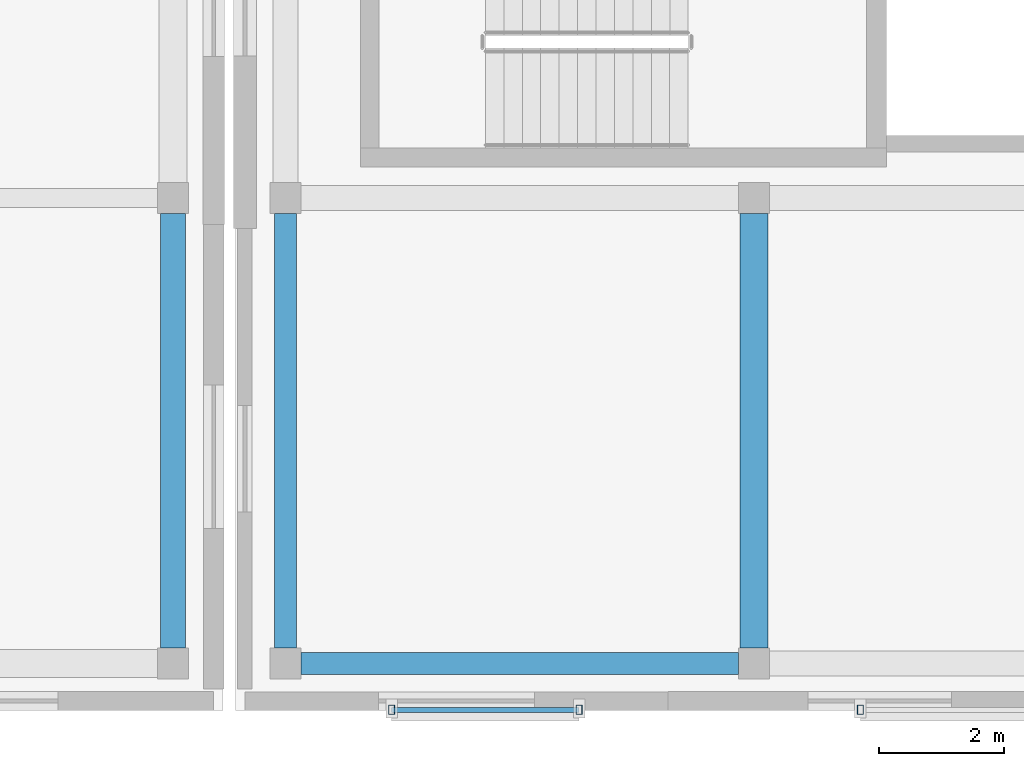
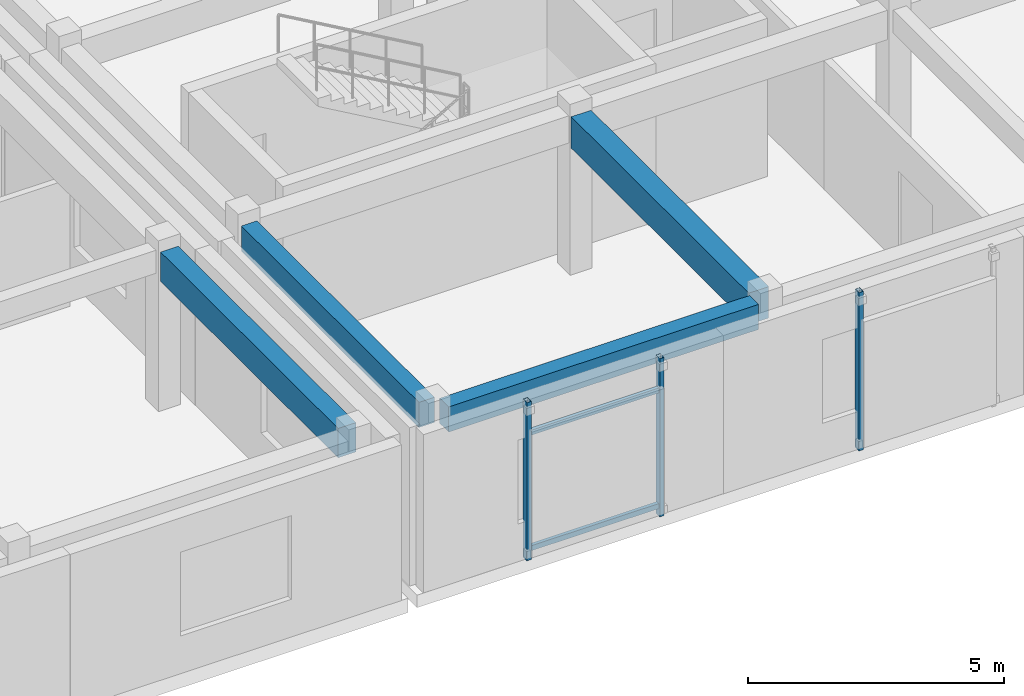
# One storey, part 26 of 91: 5 members, 4 beams.
"""IFC4 building model written with IfcOpenShell, lengths in metres."""

from ifc_helpers import new_model, si_unit, direction, frame, origin, origin_2d, place, context, subcontext, project, spatial, rectangle, hollow_rectangle, extrude, material, material_profile, profile_set, type_object, element, save


model = new_model("IFC4")

# Units and contexts
model_context = context("Model", 3, precision=1e-05, world=origin(), true_north=direction((0.0, 1.0)))
body_context = subcontext(model_context, "Body", "Model", "MODEL_VIEW")
ifc_project = project(units=[si_unit("LENGTHUNIT", "METRE"), si_unit("AREAUNIT", "SQUARE_METRE"), si_unit("VOLUMEUNIT", "CUBIC_METRE"), si_unit("PLANEANGLEUNIT", "RADIAN"), si_unit("MASSUNIT", "GRAM", prefix="KILO")], contexts=[model_context])

# Site, building, storey
site_placement = place(None, origin())
site = spatial("IfcSite", under=ifc_project, at=site_placement, CompositionType="ELEMENT")
building_placement = place(site_placement, origin())
building = spatial("IfcBuilding", under=site, at=building_placement, Name="Valcora Specialist Clinic", CompositionType="ELEMENT")
storey_placement = place(building_placement, frame((0.0, 0.0, 13.60009765625)))
storey = spatial("IfcBuildingStorey", under=building, at=storey_placement, Name="L03", CompositionType="ELEMENT", Elevation=13.60009765625)

# Beams
ifc_material_1 = material(Name="Concrete C40/50", Category="concrete")
ifc_material_profile_1 = material_profile(ifc_material_1, rectangle(XDim=0.35009765625, YDim=0.60009765625, at=origin_2d()), Name="RC-BM-350X600")
ifc_profile_set_1 = profile_set([ifc_material_profile_1], Name="Concrete C40/50")
beam_type_1 = type_object("IfcBeamType", Name="TY-BM-RC350X600", PredefinedType="BEAM", material=ifc_profile_set_1)
beam_1_placement = place(storey_placement, frame((54.550048828125, 0.75, 3.47998046875), z_axis=(1.0, 0.0, 0.0), x_axis=(0.0, 1.0, 0.0)))
element("IfcBeam", 1, at=beam_1_placement, inside=storey, type_object=beam_type_1, Name="Beam BM-L03-1418", PredefinedType="BEAM", context=body_context, shape_type="SweptSolid", body=[
    extrude(rectangle(XDim=0.35009765625, YDim=0.60009765625, at=origin_2d()), origin(), (0.0, 0.0, 1.0), 7.0),
])
beam_2_placement = place(storey_placement, frame((54.300048828125, 1.0, 3.47998046875), z_axis=(0.0, 1.0, 0.0), x_axis=(-1.0, 0.0, 0.0)))
element("IfcBeam", 2, at=beam_2_placement, inside=storey, type_object=beam_type_1, Name="Beam BM-L03-1446", PredefinedType="BEAM", context=body_context, shape_type="SweptSolid", body=[
    extrude(rectangle(XDim=0.35009765625, YDim=0.60009765625, at=origin_2d()), origin(), (0.0, 0.0, 1.0), 6.949951171875),
])
ifc_material_profile_2 = material_profile(ifc_material_1, rectangle(XDim=0.39990234375, YDim=0.699951171875, at=origin_2d()), Name="RC-BM-400X700")
ifc_profile_set_2 = profile_set([ifc_material_profile_2], Name="Concrete C40/50")
beam_type_2 = type_object("IfcBeamType", Name="TY-BM-RC400X700", PredefinedType="BEAM", material=ifc_profile_set_2)
beam_3_placement = place(storey_placement, frame((52.5, 1.0, 3.44482421875), z_axis=(0.0, 1.0, 0.0), x_axis=(-1.0, 0.0, 0.0)))
element("IfcBeam", 3, at=beam_3_placement, inside=storey, type_object=beam_type_2, Name="Beam BM-L03-1070", PredefinedType="BEAM", context=body_context, shape_type="SweptSolid", body=[
    extrude(rectangle(XDim=0.39990234375, YDim=0.699951171875, at=origin_2d()), origin(), (0.0, 0.0, 1.0), 6.949951171875),
])
ifc_material_profile_3 = material_profile(ifc_material_1, rectangle(XDim=0.449951171875, YDim=0.75, at=origin_2d()), Name="RC-BM-450X750")
ifc_profile_set_3 = profile_set([ifc_material_profile_3], Name="Concrete C40/50")
beam_type_3 = type_object("IfcBeamType", Name="TY-BM-RC450X750", PredefinedType="BEAM", material=ifc_profile_set_3)
beam_4_placement = place(storey_placement, frame((61.800048828125, 1.0, 3.40478515625), z_axis=(0.0, 1.0, 0.0), x_axis=(-1.0, 0.0, 0.0)))
element("IfcBeam", 4, at=beam_4_placement, inside=storey, type_object=beam_type_3, Name="Beam BM-L03-1449", PredefinedType="BEAM", context=body_context, shape_type="SweptSolid", body=[
    extrude(rectangle(XDim=0.449951171875, YDim=0.75, at=origin_2d()), origin(), (0.0, 0.0, 1.0), 6.949951171875),
])

# Members
ifc_material_2 = material(Name="Steel ASTM A500 Grade C", Category="steel")
ifc_material_profile_4 = material_profile(ifc_material_2, hollow_rectangle(XDim=0.10009765625, YDim=0.14990234375, WallThickness=0.006103515625, at=origin_2d()), Name="ST-RHS-150X100X6")
ifc_profile_set_4 = profile_set([ifc_material_profile_4], Name="Steel ASTM A500 Grade C")
member_type_1 = type_object("IfcMemberType", Name="TY-MB-SFPOST", PredefinedType="POST", material=ifc_profile_set_4)
for number, where, z_axis, x_axis, name in (
    (5, (56.0, 0.010009765625, 0.0), (0.0, 0.0, 1.0), (1.0, 0.0, 0.0), "Brick screen carrier post 137"),
    (6, (59.0, 0.010009765625, 0.0), (0.0, 0.0, 1.0), (1.0, 0.0, 0.0), "Brick screen carrier post 138"),
    (7, (63.5, 0.010009765625, 0.0), (0.0, 0.0, 1.0), (1.0, 0.0, 0.0), "Brick screen carrier post 141"),
):
    element("IfcMember", number, at=place(storey_placement, frame(where, z_axis=z_axis, x_axis=x_axis)), inside=storey, type_object=member_type_1, Name=name, PredefinedType="POST", context=body_context, shape_type="SweptSolid", body=[
        extrude(hollow_rectangle(XDim=0.10009765625, YDim=0.14990234375, WallThickness=0.006103515625, at=origin_2d()), origin(), (0.0, 0.0, 1.0), 3.77978515625),
    ])
ifc_material_profile_5 = material_profile(ifc_material_2, hollow_rectangle(XDim=0.080078125, YDim=0.1201171875, WallThickness=0.0048828125, at=origin_2d()), Name="ST-RHS-120X80X5")
ifc_profile_set_5 = profile_set([ifc_material_profile_5], Name="Steel ASTM A500 Grade C")
member_type_2 = type_object("IfcMemberType", Name="TY-MB-SFRAIL", PredefinedType="STRINGER", material=ifc_profile_set_5)
for number, where, z_axis, x_axis, name in (
    (8, (56.0, 0.010009765625, 0.239990234375), (1.0, 0.0, 0.0), (0.0, 1.0, 0.0), "Brick screen carrier rail 139"),
    (9, (56.0, 0.010009765625, 3.0), (1.0, 0.0, 0.0), (0.0, 1.0, 0.0), "Brick screen carrier rail 140"),
):
    element("IfcMember", number, at=place(storey_placement, frame(where, z_axis=z_axis, x_axis=x_axis)), inside=storey, type_object=member_type_2, Name=name, PredefinedType="STRINGER", context=body_context, shape_type="SweptSolid", body=[
        extrude(hollow_rectangle(XDim=0.080078125, YDim=0.1201171875, WallThickness=0.0048828125, at=origin_2d()), origin(), (0.0, 0.0, 1.0), 3.0),
    ])

save(model, "model.ifc")
